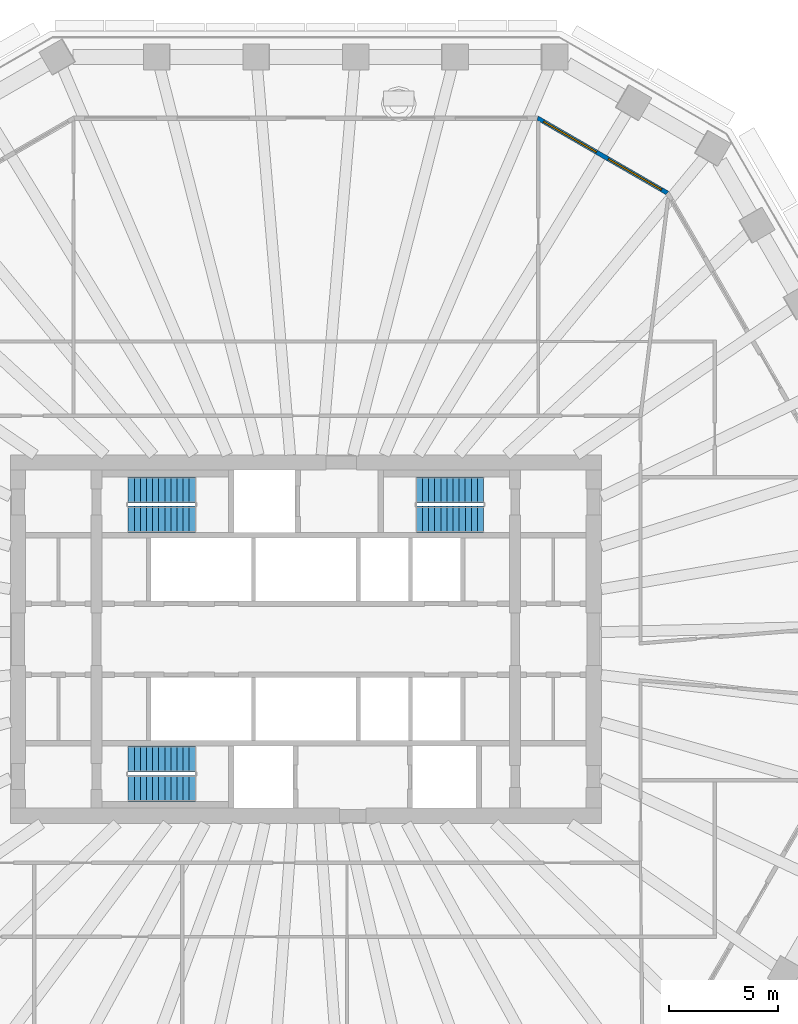
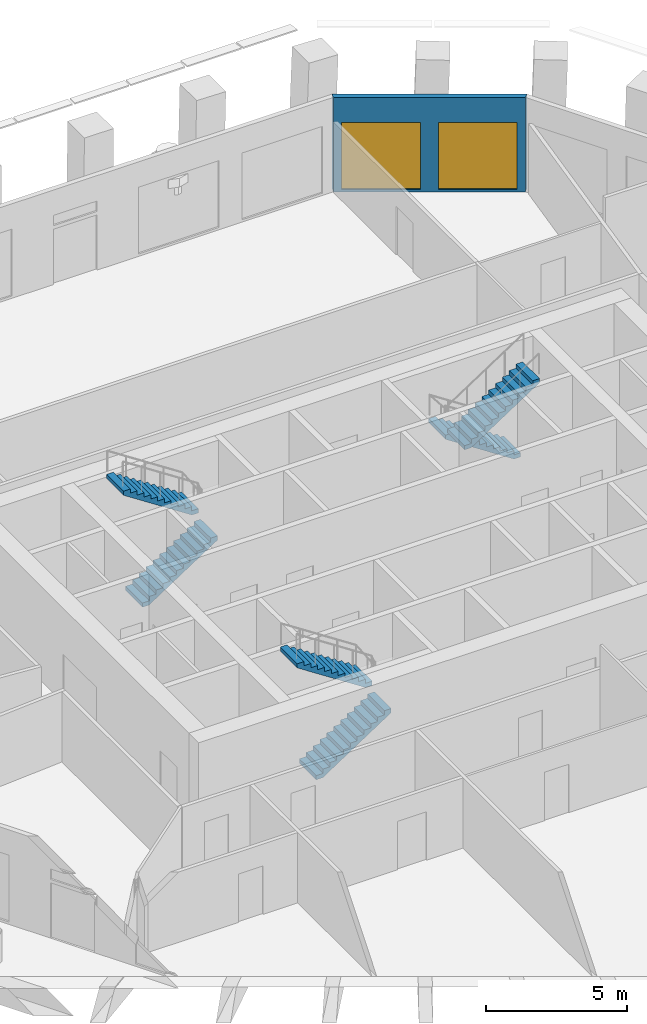
# One storey, part 9 of 13: 6 stair flights, 2 windows, 1 wall, 2 openings, 3 elements without a shape of their own.
"""IFC4 building model written with IfcOpenShell, lengths in metres."""

from ifc_helpers import new_model, si_unit, direction, frame, frame_2d, origin, place, context, subcontext, project, spatial, polyline, rectangle, outline, extrude, material, layer, layer_set, type_object, element, fill, aggregate, save


model = new_model("IFC4")

# Units and contexts
model_context = context("Model", 3, precision=1e-05, world=origin(), true_north=direction((0.0, 1.0)))
body_context = subcontext(model_context, "Body", "Model", "MODEL_VIEW")
ifc_project = project(units=[si_unit("LENGTHUNIT", "METRE"), si_unit("AREAUNIT", "SQUARE_METRE"), si_unit("VOLUMEUNIT", "CUBIC_METRE"), si_unit("PLANEANGLEUNIT", "RADIAN"), si_unit("MASSUNIT", "GRAM", prefix="KILO")], contexts=[model_context])

# Site, building, storey
site_placement = place(None, origin())
site = spatial("IfcSite", under=ifc_project, at=site_placement, CompositionType="ELEMENT")
building_placement = place(site_placement, origin())
building = spatial("IfcBuilding", under=site, at=building_placement, Name="Frailejon Research Tower", CompositionType="ELEMENT")
storey_placement = place(building_placement, frame((0.0, 0.0, 167.199951171875)))
storey = spatial("IfcBuildingStorey", under=building, at=storey_placement, Name="L36", CompositionType="ELEMENT", Elevation=167.199951171875)

# Wall, openings, windows
ifc_material_1 = material(Name="Concrete C40/50 precast window wall panel", Category="concrete")
ifc_layer_1 = layer(ifc_material_1, 0.199951171875)
ifc_layer_set_1 = layer_set([ifc_layer_1], Name="Window wall 200")
wall_type = type_object("IfcWallType", Name="Window wall 200", PredefinedType="SOLIDWALL", material=ifc_layer_set_1)
wall_placement = place(storey_placement, frame((16.58154296875, 20.462646484375, 0.0), z_axis=(0.0, 0.0, 1.0), x_axis=(-0.866029458321, 0.49999297727, 0.0)))
wall = element("IfcWall", 1, at=wall_placement, inside=storey, type_object=wall_type, Name="Exterior wall L36", PredefinedType="SOLIDWALL", context=body_context, shape_type="SweptSolid", body=[
    extrude(outline(polyline([(-0.02685546875, -0.10009765625), (1.1279296875, -0.10009765625), (2.282470703125, -0.10009765625), (3.437255859375, -0.10009765625), (4.592041015625, -0.10009765625), (5.74658203125, -0.10009765625), (6.9013671875, -0.10009765625), (6.84765625, 0.10009765625), (5.7109375, 0.10009765625), (4.573974609375, 0.10009765625), (3.437255859375, 0.10009765625), (2.300537109375, 0.10009765625), (1.16357421875, 0.10009765625), (0.02685546875, 0.10009765625), (-0.02685546875, -0.10009765625)])), origin(), (0.0, 0.0, 1.0), 4.10009765625),
])
opening_1_placement = place(wall_placement, frame((0.318603515625, 0.0, 0.10009765625)))
opening_1 = element("IfcOpeningElement", 2, at=opening_1_placement, cuts=wall, Name="Opening W3", PredefinedType="OPENING", context=body_context, shape_type="SweptSolid", body=[
    extrude(rectangle(XDim=2.800048828125, YDim=2.89990234375, at=frame_2d((1.39990234375, 1.449951171875))), frame((0.0, 0.10986328125, 0.0), z_axis=(0.0, -1.0, 0.0), x_axis=(1.0, 0.0, 0.0)), (0.0, 0.0, 1.0), 0.219970703125),
])
opening_2_placement = place(wall_placement, frame((3.756103515625, 0.0, 0.10009765625)))
opening_2 = element("IfcOpeningElement", 3, at=opening_2_placement, cuts=wall, Name="Opening W3", PredefinedType="OPENING", context=body_context, shape_type="SweptSolid", body=[
    extrude(rectangle(XDim=2.800048828125, YDim=2.89990234375, at=frame_2d((1.39990234375, 1.449951171875))), frame((0.0, 0.10986328125, 0.0), z_axis=(0.0, -1.0, 0.0), x_axis=(1.0, 0.0, 0.0)), (0.0, 0.0, 1.0), 0.219970703125),
])
ifc_material_2 = material(Name="Aluminium framed double glazing", Category="aluminium")
window_type = type_object("IfcWindowType", Name="Window 2800x2900", PartitioningType="SINGLE_PANEL", PredefinedType="WINDOW", material=ifc_material_2)
window_1_placement = place(opening_1_placement, origin())
window_1 = element("IfcWindow", 4, at=window_1_placement, inside=storey, type_object=window_type, Name="Window L36", OverallHeight=2.89990234375, OverallWidth=2.800048828125, PartitioningType="SINGLE_PANEL", PredefinedType="WINDOW", context=body_context, shape_type="SweptSolid", body=[
    extrude(rectangle(XDim=2.800048828125, YDim=2.89990234375, at=frame_2d((1.39990234375, 1.449951171875))), frame((0.0, 0.030029296875, 0.0), z_axis=(0.0, -1.0, 0.0), x_axis=(1.0, 0.0, 0.0)), (0.0, 0.0, 1.0), 0.06005859375),
])
fill(opening_1, window_1)
window_2_placement = place(opening_2_placement, origin())
window_2 = element("IfcWindow", 5, at=window_2_placement, inside=storey, type_object=window_type, Name="Window L36", OverallHeight=2.89990234375, OverallWidth=2.800048828125, PartitioningType="SINGLE_PANEL", PredefinedType="WINDOW", context=body_context, shape_type="SweptSolid", body=[
    extrude(rectangle(XDim=2.800048828125, YDim=2.89990234375, at=frame_2d((1.39990234375, 1.449951171875))), frame((0.0, 0.030029296875, 0.0), z_axis=(0.0, -1.0, 0.0), x_axis=(1.0, 0.0, 0.0)), (0.0, 0.0, 1.0), 0.06005859375),
])
fill(opening_2, window_2)

# Stair, stair flights
ifc_material_3 = material(Name="Concrete C50/60", Category="concrete")
stair_type = type_object("IfcStairType", Name="Exit stair 24 risers", PredefinedType="HALF_TURN_STAIR", material=ifc_material_3)
stair_1_placement = place(storey_placement, origin())
stair_1 = element("IfcStair", 6, at=stair_1_placement, inside=storey, type_object=stair_type, Name="L36 Exit stair ST1", PredefinedType="HALF_TURN_STAIR")
ifc_material_4 = material(Name="Concrete C50/60", Category="concrete")
ifc_layer_2 = layer(ifc_material_4, 0.14990234375)
ifc_layer_set_2 = layer_set([ifc_layer_2], Name="Stair flight 12 risers")
stair_flight_type = type_object("IfcStairFlightType", Name="Stair flight 12 risers", PredefinedType="STRAIGHT", material=ifc_layer_set_2)
stair_flight_1_placement = place(storey_placement, frame((-8.14990234375, 5.5, 0.0), z_axis=(0.0, 0.0, 1.0), x_axis=(1.0, 0.0, 0.0)))
stair_flight_1 = element("IfcStairFlight", 7, at=stair_flight_1_placement, type_object=stair_flight_type, Name="ST1 flight 1", NumberOfRisers=12, NumberOfTreads=11, PredefinedType="STRAIGHT", RiserHeight=0.183333333, TreadLength=0.28, context=body_context, shape_type="SweptSolid", body=[
    extrude(outline(polyline([(0.0, 0.0), (0.0, 0.183349609375), (0.280029296875, 0.183349609375), (0.280029296875, 0.36669921875), (0.56005859375, 0.36669921875), (0.56005859375, 0.550048828125), (0.840087890625, 0.550048828125), (0.840087890625, 0.7333984375), (1.1201171875, 0.7333984375), (1.1201171875, 0.916748046875), (1.39990234375, 0.916748046875), (1.39990234375, 1.10009765625), (1.679931640625, 1.10009765625), (1.679931640625, 1.283447265625), (1.9599609375, 1.283447265625), (1.9599609375, 1.466552734375), (2.239990234375, 1.466552734375), (2.239990234375, 1.64990234375), (2.52001953125, 1.64990234375), (2.52001953125, 1.833251953125), (2.800048828125, 1.833251953125), (2.800048828125, 2.0166015625), (3.080078125, 2.0166015625), (3.080078125, 2.199951171875), (3.080078125, 1.83740234375), (0.273681640625, 0.0), (0.0, 0.0)])), frame((0.0, 0.60009765625, 0.0), z_axis=(0.0, -1.0, 0.0), x_axis=(1.0, 0.0, 0.0)), (0.0, 0.0, 1.0), 1.199951171875),
])
stair_flight_2_placement = place(storey_placement, frame((-5.070068359375, 6.85009765625, 2.199951171875), z_axis=(0.0, 0.0, 1.0), x_axis=(-1.0, 0.0, 0.0)))
stair_flight_2 = element("IfcStairFlight", 8, at=stair_flight_2_placement, type_object=stair_flight_type, Name="ST1 flight 2", NumberOfRisers=12, NumberOfTreads=11, PredefinedType="STRAIGHT", RiserHeight=0.183333333, TreadLength=0.28, context=body_context, shape_type="SweptSolid", body=[
    extrude(outline(polyline([(0.0, 0.0), (0.0, 0.183349609375), (0.280029296875, 0.183349609375), (0.280029296875, 0.36669921875), (0.56005859375, 0.36669921875), (0.56005859375, 0.550048828125), (0.840087890625, 0.550048828125), (0.840087890625, 0.7333984375), (1.1201171875, 0.7333984375), (1.1201171875, 0.916748046875), (1.39990234375, 0.916748046875), (1.39990234375, 1.10009765625), (1.679931640625, 1.10009765625), (1.679931640625, 1.283447265625), (1.9599609375, 1.283447265625), (1.9599609375, 1.466552734375), (2.239990234375, 1.466552734375), (2.239990234375, 1.64990234375), (2.52001953125, 1.64990234375), (2.52001953125, 1.833251953125), (2.800048828125, 1.833251953125), (2.800048828125, 2.0166015625), (3.080078125, 2.0166015625), (3.080078125, 2.199951171875), (3.080078125, 1.83740234375), (0.273681640625, 0.0), (0.0, 0.0)])), frame((0.0, 0.60009765625, 0.0), z_axis=(0.0, -1.0, 0.0), x_axis=(1.0, 0.0, 0.0)), (0.0, 0.0, 1.0), 1.199951171875),
])
aggregate(stair_1, [stair_flight_1, stair_flight_2])

stair_2_placement = place(storey_placement, origin())
stair_2 = element("IfcStair", 9, at=stair_2_placement, inside=storey, type_object=stair_type, Name="L36 Exit stair ST2", PredefinedType="HALF_TURN_STAIR")
stair_flight_3_placement = place(storey_placement, frame((-8.14990234375, -6.85009765625, 0.0), z_axis=(0.0, 0.0, 1.0), x_axis=(1.0, 0.0, 0.0)))
stair_flight_3 = element("IfcStairFlight", 10, at=stair_flight_3_placement, type_object=stair_flight_type, Name="ST2 flight 1", NumberOfRisers=12, NumberOfTreads=11, PredefinedType="STRAIGHT", RiserHeight=0.183333333, TreadLength=0.28, context=body_context, shape_type="SweptSolid", body=[
    extrude(outline(polyline([(0.0, 0.0), (0.0, 0.183349609375), (0.280029296875, 0.183349609375), (0.280029296875, 0.36669921875), (0.56005859375, 0.36669921875), (0.56005859375, 0.550048828125), (0.840087890625, 0.550048828125), (0.840087890625, 0.7333984375), (1.1201171875, 0.7333984375), (1.1201171875, 0.916748046875), (1.39990234375, 0.916748046875), (1.39990234375, 1.10009765625), (1.679931640625, 1.10009765625), (1.679931640625, 1.283447265625), (1.9599609375, 1.283447265625), (1.9599609375, 1.466552734375), (2.239990234375, 1.466552734375), (2.239990234375, 1.64990234375), (2.52001953125, 1.64990234375), (2.52001953125, 1.833251953125), (2.800048828125, 1.833251953125), (2.800048828125, 2.0166015625), (3.080078125, 2.0166015625), (3.080078125, 2.199951171875), (3.080078125, 1.83740234375), (0.273681640625, 0.0), (0.0, 0.0)])), frame((0.0, 0.60009765625, 0.0), z_axis=(0.0, -1.0, 0.0), x_axis=(1.0, 0.0, 0.0)), (0.0, 0.0, 1.0), 1.199951171875),
])
stair_flight_4_placement = place(storey_placement, frame((-5.070068359375, -5.5, 2.199951171875), z_axis=(0.0, 0.0, 1.0), x_axis=(-1.0, 0.0, 0.0)))
stair_flight_4 = element("IfcStairFlight", 11, at=stair_flight_4_placement, type_object=stair_flight_type, Name="ST2 flight 2", NumberOfRisers=12, NumberOfTreads=11, PredefinedType="STRAIGHT", RiserHeight=0.183333333, TreadLength=0.28, context=body_context, shape_type="SweptSolid", body=[
    extrude(outline(polyline([(0.0, 0.0), (0.0, 0.183349609375), (0.280029296875, 0.183349609375), (0.280029296875, 0.36669921875), (0.56005859375, 0.36669921875), (0.56005859375, 0.550048828125), (0.840087890625, 0.550048828125), (0.840087890625, 0.7333984375), (1.1201171875, 0.7333984375), (1.1201171875, 0.916748046875), (1.39990234375, 0.916748046875), (1.39990234375, 1.10009765625), (1.679931640625, 1.10009765625), (1.679931640625, 1.283447265625), (1.9599609375, 1.283447265625), (1.9599609375, 1.466552734375), (2.239990234375, 1.466552734375), (2.239990234375, 1.64990234375), (2.52001953125, 1.64990234375), (2.52001953125, 1.833251953125), (2.800048828125, 1.833251953125), (2.800048828125, 2.0166015625), (3.080078125, 2.0166015625), (3.080078125, 2.199951171875), (3.080078125, 1.83740234375), (0.273681640625, 0.0), (0.0, 0.0)])), frame((0.0, 0.60009765625, 0.0), z_axis=(0.0, -1.0, 0.0), x_axis=(1.0, 0.0, 0.0)), (0.0, 0.0, 1.0), 1.199951171875),
])
aggregate(stair_2, [stair_flight_3, stair_flight_4])

stair_3_placement = place(storey_placement, origin())
stair_3 = element("IfcStair", 12, at=stair_3_placement, inside=storey, type_object=stair_type, Name="L36 Exit stair ST3", PredefinedType="HALF_TURN_STAIR")
stair_flight_5_placement = place(storey_placement, frame((8.14990234375, 6.85009765625, 0.0), z_axis=(0.0, 0.0, 1.0), x_axis=(-1.0, 0.0, 0.0)))
stair_flight_5 = element("IfcStairFlight", 13, at=stair_flight_5_placement, type_object=stair_flight_type, Name="ST3 flight 1", NumberOfRisers=12, NumberOfTreads=11, PredefinedType="STRAIGHT", RiserHeight=0.183333333, TreadLength=0.28, context=body_context, shape_type="SweptSolid", body=[
    extrude(outline(polyline([(0.0, 0.0), (0.0, 0.183349609375), (0.280029296875, 0.183349609375), (0.280029296875, 0.36669921875), (0.56005859375, 0.36669921875), (0.56005859375, 0.550048828125), (0.840087890625, 0.550048828125), (0.840087890625, 0.7333984375), (1.1201171875, 0.7333984375), (1.1201171875, 0.916748046875), (1.39990234375, 0.916748046875), (1.39990234375, 1.10009765625), (1.679931640625, 1.10009765625), (1.679931640625, 1.283447265625), (1.9599609375, 1.283447265625), (1.9599609375, 1.466552734375), (2.239990234375, 1.466552734375), (2.239990234375, 1.64990234375), (2.52001953125, 1.64990234375), (2.52001953125, 1.833251953125), (2.800048828125, 1.833251953125), (2.800048828125, 2.0166015625), (3.080078125, 2.0166015625), (3.080078125, 2.199951171875), (3.080078125, 1.83740234375), (0.273681640625, 0.0), (0.0, 0.0)])), frame((0.0, 0.60009765625, 0.0), z_axis=(0.0, -1.0, 0.0), x_axis=(1.0, 0.0, 0.0)), (0.0, 0.0, 1.0), 1.199951171875),
])
stair_flight_6_placement = place(storey_placement, frame((5.070068359375, 5.5, 2.199951171875), z_axis=(0.0, 0.0, 1.0), x_axis=(1.0, 0.0, 0.0)))
stair_flight_6 = element("IfcStairFlight", 14, at=stair_flight_6_placement, type_object=stair_flight_type, Name="ST3 flight 2", NumberOfRisers=12, NumberOfTreads=11, PredefinedType="STRAIGHT", RiserHeight=0.183333333, TreadLength=0.28, context=body_context, shape_type="SweptSolid", body=[
    extrude(outline(polyline([(0.0, 0.0), (0.0, 0.183349609375), (0.280029296875, 0.183349609375), (0.280029296875, 0.36669921875), (0.56005859375, 0.36669921875), (0.56005859375, 0.550048828125), (0.840087890625, 0.550048828125), (0.840087890625, 0.7333984375), (1.1201171875, 0.7333984375), (1.1201171875, 0.916748046875), (1.39990234375, 0.916748046875), (1.39990234375, 1.10009765625), (1.679931640625, 1.10009765625), (1.679931640625, 1.283447265625), (1.9599609375, 1.283447265625), (1.9599609375, 1.466552734375), (2.239990234375, 1.466552734375), (2.239990234375, 1.64990234375), (2.52001953125, 1.64990234375), (2.52001953125, 1.833251953125), (2.800048828125, 1.833251953125), (2.800048828125, 2.0166015625), (3.080078125, 2.0166015625), (3.080078125, 2.199951171875), (3.080078125, 1.83740234375), (0.273681640625, 0.0), (0.0, 0.0)])), frame((0.0, 0.60009765625, 0.0), z_axis=(0.0, -1.0, 0.0), x_axis=(1.0, 0.0, 0.0)), (0.0, 0.0, 1.0), 1.199951171875),
])
aggregate(stair_3, [stair_flight_5, stair_flight_6])

save(model, "model.ifc")
